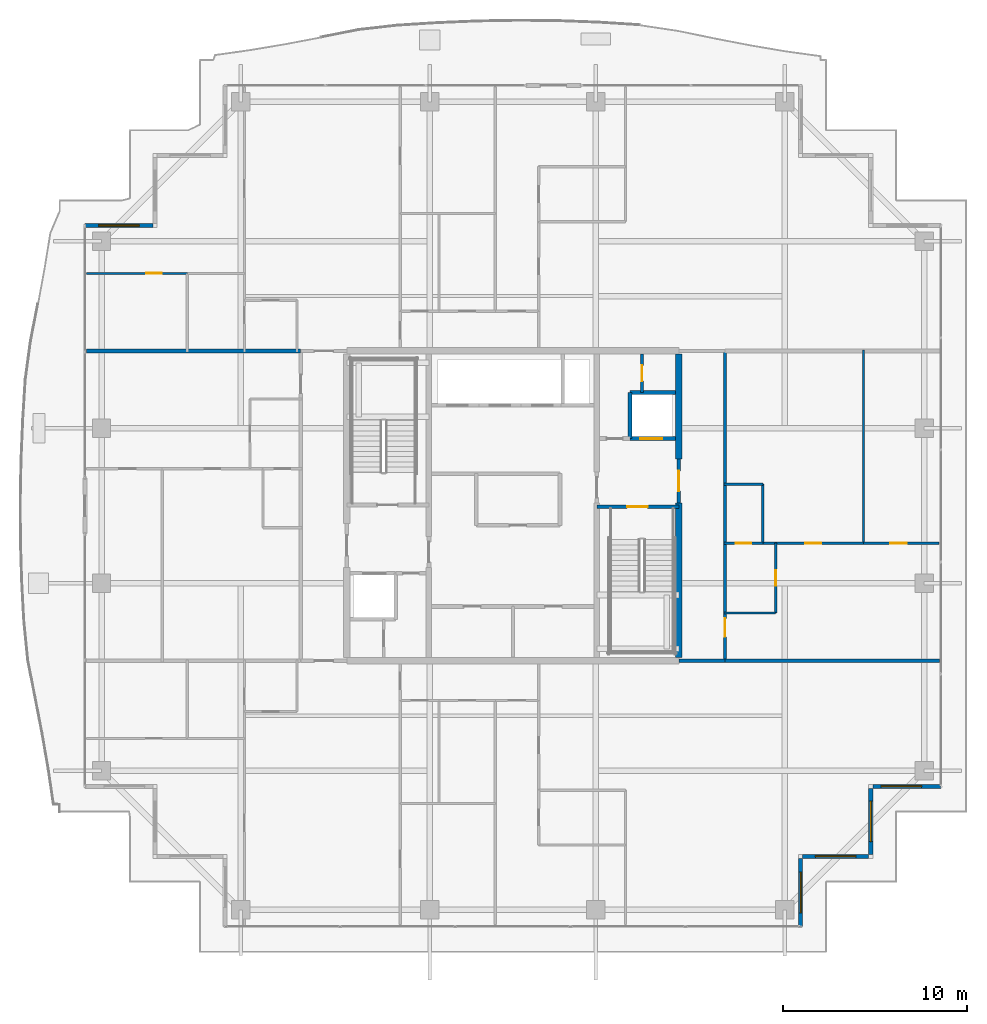
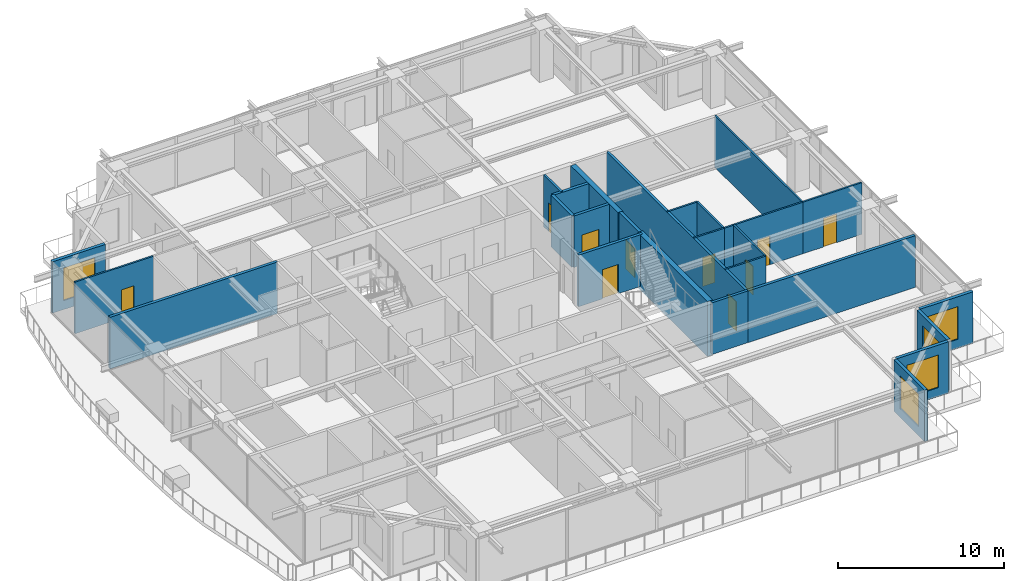
# One storey, part 28 of 37: 26 walls, 10 doors, 5 windows, 15 openings.
"""IFC4 building model written with IfcOpenShell, lengths in metres."""

from ifc_helpers import new_model, si_unit, direction, frame, frame_2d, origin, place, context, subcontext, project, spatial, rectangle, extrude, source, transform, mapped, material, layer, layer_set, type_object, element, fill, save


model = new_model("IFC4")

# Units and contexts
model_context = context("Model", 3, precision=1e-05, world=origin(), true_north=direction((0.0, 1.0)))
body_context = subcontext(model_context, "Body", "Model", "MODEL_VIEW")
ifc_project = project(units=[si_unit("LENGTHUNIT", "METRE"), si_unit("AREAUNIT", "SQUARE_METRE"), si_unit("VOLUMEUNIT", "CUBIC_METRE"), si_unit("PLANEANGLEUNIT", "RADIAN"), si_unit("MASSUNIT", "GRAM", prefix="KILO")], contexts=[model_context])

# Site, building, storey
site_placement = place(None, origin())
site = spatial("IfcSite", under=ifc_project, at=site_placement, CompositionType="ELEMENT")
building_placement = place(site_placement, origin())
building = spatial("IfcBuilding", under=site, at=building_placement, Name="Serunith Strait Residences", CompositionType="ELEMENT")
storey_placement = place(building_placement, frame((0.0, 0.0, 317.75)))
storey = spatial("IfcBuildingStorey", under=building, at=storey_placement, Name="L79", CompositionType="ELEMENT", Elevation=317.75)

# Wall, opening, window
ifc_material_1 = material(Name="Pale-Champagne Aluminium Insulated Panel", Category="aluminium")
ifc_layer_1 = layer(ifc_material_1, 0.219970703125, Name="Pale-Champagne Aluminium Insulated Panel")
ifc_layer_set_1 = layer_set([ifc_layer_1], Name="Pale-Champagne Aluminium Insulated Panel")
wall_type_1 = type_object("IfcWallType", Name="EW-ALUM-220", PredefinedType="ELEMENTEDWALL", material=ifc_layer_set_1)
wall_1_placement = place(storey_placement, frame((48.0, 2.39990234375, 0.0), z_axis=(0.0, 0.0, 1.0), x_axis=(0.0, 1.0, 0.0)))
wall_1 = element("IfcWall", 1, at=wall_1_placement, inside=storey, type_object=wall_type_1, Name="L79 Girih Serrated Corner Wall 02", PredefinedType="ELEMENTEDWALL", context=body_context, shape_type="SweptSolid", body=[
    extrude(rectangle(XDim=3.690185546875, YDim=0.219970703125, at=frame_2d((1.84521484375, 0.0))), origin(), (0.0, 0.0, 1.0), 3.77490234375),
])
opening_1_placement = place(wall_1_placement, frame((0.7451171875, 0.0, 0.64990234375)))
opening_1 = element("IfcOpeningElement", 2, at=opening_1_placement, cuts=wall_1, Name="Opening W-06", PredefinedType="OPENING", context=body_context, shape_type="SweptSolid", body=[
    extrude(rectangle(XDim=2.199951171875, YDim=2.39990234375, at=frame_2d((1.10009765625, 1.199951171875))), frame((0.0, 0.1201171875, 0.0), z_axis=(0.0, -1.0, 0.0), x_axis=(1.0, 0.0, 0.0)), (0.0, 0.0, 1.0), 0.239990234375),
])
ifc_material_2 = material(Name="Crown Penthouse Low-E Operable Window Glass", Category="glass")
window_type = type_object("IfcWindowType", Name="WIN-C6", PartitioningType="TRIPLE_PANEL_VERTICAL", PredefinedType="WINDOW", material=ifc_material_2)
shared_shape_1 = source(origin(), body_context, "Body", "SweptSolid", [
    extrude(rectangle(XDim=2.199951171875, YDim=2.39990234375, at=frame_2d((1.10009765625, 1.199951171875))), frame((0.0, 0.030029296875, 0.0), z_axis=(0.0, -1.0, 0.0), x_axis=(1.0, 0.0, 0.0)), (0.0, 0.0, 1.0), 0.06005859375),
])
window_1_placement = place(opening_1_placement, origin())
window_1 = element("IfcWindow", 3, at=window_1_placement, inside=storey, type_object=window_type, Name="L79 Corner Operable Fritted Window 02", OverallHeight=2.39990234375, OverallWidth=2.199951171875, PartitioningType="SINGLE_PANEL", PredefinedType="WINDOW", context=body_context, shape_type="MappedRepresentation", body=[
    mapped(shared_shape_1, transform((0.0, 0.0, 0.0), scale=1.0)),
])
fill(opening_1, window_1)

wall_2_placement = place(storey_placement, frame((48.110107421875, 6.199951171875, 0.0), z_axis=(0.0, 0.0, 1.0), x_axis=(1.0, 0.0, 0.0)))
wall_2 = element("IfcWall", 4, at=wall_2_placement, inside=storey, type_object=wall_type_1, Name="L79 Girih Serrated Corner Wall 03", PredefinedType="ELEMENTEDWALL", context=body_context, shape_type="SweptSolid", body=[
    extrude(rectangle(XDim=3.579833984375, YDim=0.219970703125, at=frame_2d((1.7900390625, 0.0))), origin(), (0.0, 0.0, 1.0), 3.77490234375),
])
opening_2_placement = place(wall_2_placement, frame((0.68994140625, 0.0, 0.64990234375)))
opening_2 = element("IfcOpeningElement", 5, at=opening_2_placement, cuts=wall_2, Name="Opening W-06", PredefinedType="OPENING", context=body_context, shape_type="SweptSolid", body=[
    extrude(rectangle(XDim=2.199951171875, YDim=2.39990234375, at=frame_2d((1.10009765625, 1.199951171875))), frame((0.0, 0.1201171875, 0.0), z_axis=(0.0, -1.0, 0.0), x_axis=(1.0, 0.0, 0.0)), (0.0, 0.0, 1.0), 0.239990234375),
])
window_2_placement = place(opening_2_placement, origin())
window_2 = element("IfcWindow", 6, at=window_2_placement, inside=storey, type_object=window_type, Name="L79 Corner Operable Fritted Window 03", OverallHeight=2.39990234375, OverallWidth=2.199951171875, PartitioningType="SINGLE_PANEL", PredefinedType="WINDOW", context=body_context, shape_type="MappedRepresentation", body=[
    mapped(shared_shape_1, transform((0.0, 0.0, 0.0), scale=1.0)),
])
fill(opening_2, window_2)

wall_3_placement = place(storey_placement, frame((51.800048828125, 6.31005859375, 0.0), z_axis=(0.0, 0.0, 1.0), x_axis=(0.0, 1.0, 0.0)))
wall_3 = element("IfcWall", 7, at=wall_3_placement, inside=storey, type_object=wall_type_1, Name="L79 Girih Serrated Corner Wall 04", PredefinedType="ELEMENTEDWALL", context=body_context, shape_type="SweptSolid", body=[
    extrude(rectangle(XDim=3.579833984375, YDim=0.219970703125, at=frame_2d((1.7900390625, 0.0))), origin(), (0.0, 0.0, 1.0), 3.77490234375),
])
opening_3_placement = place(wall_3_placement, frame((0.68994140625, 0.0, 0.64990234375)))
opening_3 = element("IfcOpeningElement", 8, at=opening_3_placement, cuts=wall_3, Name="Opening W-06", PredefinedType="OPENING", context=body_context, shape_type="SweptSolid", body=[
    extrude(rectangle(XDim=2.199951171875, YDim=2.39990234375, at=frame_2d((1.10009765625, 1.199951171875))), frame((0.0, 0.1201171875, 0.0), z_axis=(0.0, -1.0, 0.0), x_axis=(1.0, 0.0, 0.0)), (0.0, 0.0, 1.0), 0.239990234375),
])
window_3_placement = place(opening_3_placement, origin())
window_3 = element("IfcWindow", 9, at=window_3_placement, inside=storey, type_object=window_type, Name="L79 Corner Operable Fritted Window 04", OverallHeight=2.39990234375, OverallWidth=2.199951171875, PartitioningType="SINGLE_PANEL", PredefinedType="WINDOW", context=body_context, shape_type="MappedRepresentation", body=[
    mapped(shared_shape_1, transform((0.0, 0.0, 0.0), scale=1.0)),
])
fill(opening_3, window_3)

wall_4_placement = place(storey_placement, frame((51.909912109375, 10.0, 0.0), z_axis=(0.0, 0.0, 1.0), x_axis=(1.0, 0.0, 0.0)))
wall_4 = element("IfcWall", 10, at=wall_4_placement, inside=storey, type_object=wall_type_1, Name="L79 Girih Serrated Corner Wall 05", PredefinedType="ELEMENTEDWALL", context=body_context, shape_type="SweptSolid", body=[
    extrude(rectangle(XDim=3.690185546875, YDim=0.219970703125, at=frame_2d((1.84521484375, 0.0))), origin(), (0.0, 0.0, 1.0), 3.77490234375),
])
opening_4_placement = place(wall_4_placement, frame((0.447021484375, 0.0, 0.64990234375)))
opening_4 = element("IfcOpeningElement", 11, at=opening_4_placement, cuts=wall_4, Name="Opening W-06", PredefinedType="OPENING", context=body_context, shape_type="SweptSolid", body=[
    extrude(rectangle(XDim=2.199951171875, YDim=2.39990234375, at=frame_2d((1.10009765625, 1.199951171875))), frame((0.0, 0.1201171875, 0.0), z_axis=(0.0, -1.0, 0.0), x_axis=(1.0, 0.0, 0.0)), (0.0, 0.0, 1.0), 0.239990234375),
])
window_4_placement = place(opening_4_placement, origin())
window_4 = element("IfcWindow", 12, at=window_4_placement, inside=storey, type_object=window_type, Name="L79 Corner Operable Fritted Window 05", OverallHeight=2.39990234375, OverallWidth=2.199951171875, PartitioningType="SINGLE_PANEL", PredefinedType="WINDOW", context=body_context, shape_type="MappedRepresentation", body=[
    mapped(shared_shape_1, transform((0.0, 0.0, 0.0), scale=1.0)),
])
fill(opening_4, window_4)

wall_5_placement = place(storey_placement, frame((12.889892578125, 40.39990234375, 0.0), z_axis=(0.0, 0.0, 1.0), x_axis=(-1.0, 0.0, 0.0)))
wall_5 = element("IfcWall", 13, at=wall_5_placement, inside=storey, type_object=wall_type_1, Name="L79 Girih Serrated Corner Wall 15", PredefinedType="ELEMENTEDWALL", context=body_context, shape_type="SweptSolid", body=[
    extrude(rectangle(XDim=3.68994140625, YDim=0.219970703125, at=frame_2d((1.844970703125, 0.0))), origin(), (0.0, 0.0, 1.0), 3.77490234375),
])
opening_5_placement = place(wall_5_placement, frame((0.7451171875, 0.0, 0.64990234375)))
opening_5 = element("IfcOpeningElement", 14, at=opening_5_placement, cuts=wall_5, Name="Opening W-06", PredefinedType="OPENING", context=body_context, shape_type="SweptSolid", body=[
    extrude(rectangle(XDim=2.199951171875, YDim=2.39990234375, at=frame_2d((1.10009765625, 1.199951171875))), frame((0.0, 0.1201171875, 0.0), z_axis=(0.0, -1.0, 0.0), x_axis=(1.0, 0.0, 0.0)), (0.0, 0.0, 1.0), 0.239990234375),
])
window_5_placement = place(opening_5_placement, origin())
window_5 = element("IfcWindow", 15, at=window_5_placement, inside=storey, type_object=window_type, Name="L79 Corner Operable Fritted Window 15", OverallHeight=2.39990234375, OverallWidth=2.199951171875, PartitioningType="SINGLE_PANEL", PredefinedType="WINDOW", context=body_context, shape_type="MappedRepresentation", body=[
    mapped(shared_shape_1, transform((0.0, 0.0, 0.0), scale=1.0)),
])
fill(opening_5, window_5)

# Wall, opening, door
ifc_material_3 = material(Name="Fire-rated masonry service closet wall", Category="masonry")
ifc_layer_2 = layer(ifc_material_3, 0.14990234375, Name="Fire-rated masonry service closet wall")
ifc_layer_set_2 = layer_set([ifc_layer_2], Name="Fire-rated masonry service closet wall")
wall_type_2 = type_object("IfcWallType", Name="IW-BOH-150", PredefinedType="PARTITIONING", material=ifc_layer_set_2)
wall_6_placement = place(storey_placement, frame((39.39990234375, 31.35009765625, 0.0), z_axis=(0.0, 0.0, 1.0), x_axis=(0.0, 1.0, 0.0)))
wall_6 = element("IfcWall", 16, at=wall_6_placement, inside=storey, type_object=wall_type_2, Name="L79 Partition Wall 012", PredefinedType="PARTITIONING", context=body_context, shape_type="SweptSolid", body=[
    extrude(rectangle(XDim=2.074951171875, YDim=0.14990234375, at=frame_2d((1.03759765625, 0.0))), origin(), (0.0, 0.0, 1.0), 3.7900390625),
])
opening_6_placement = place(wall_6_placement, frame((0.612060546875, 0.0, 0.0)))
opening_6 = element("IfcOpeningElement", 17, at=opening_6_placement, cuts=wall_6, Name="Opening FD-850", PredefinedType="OPENING", context=body_context, shape_type="SweptSolid", body=[
    extrude(rectangle(XDim=0.85009765625, YDim=2.10009765625, at=frame_2d((0.425048828125, 1.050048828125))), frame((0.0, 0.0849609375, 0.0), z_axis=(0.0, -1.0, 0.0), x_axis=(1.0, 0.0, 0.0)), (0.0, 0.0, 1.0), 0.169921875),
])
ifc_material_4 = material(Name="Powder-coated steel service closet door", Category="steel")
door_type_1 = type_object("IfcDoorType", Name="FD-BOH-850", OperationType="NOTDEFINED", PredefinedType="DOOR", material=ifc_material_4)
shared_shape_2 = source(origin(), body_context, "Body", "SweptSolid", [
    extrude(rectangle(XDim=0.85009765625, YDim=2.10009765625, at=frame_2d((0.425048828125, 1.050048828125))), frame((0.0, 0.02490234375, 0.0), z_axis=(0.0, -1.0, 0.0), x_axis=(1.0, 0.0, 0.0)), (0.0, 0.0, 1.0), 0.050048828125),
])
door_1_placement = place(opening_6_placement, origin())
door_1 = element("IfcDoor", 18, at=door_1_placement, inside=storey, type_object=door_type_1, Name="L79 Janitor Store Door", OperationType="SINGLE_SWING_LEFT", OverallHeight=2.10009765625, OverallWidth=0.85009765625, PredefinedType="DOOR", context=body_context, shape_type="MappedRepresentation", body=[
    mapped(shared_shape_2, transform((0.0, 0.0, 0.0), scale=1.0)),
])
fill(opening_6, door_1)

# Wall
ifc_material_5 = material(Name="Fire-rated acoustic gypsum partition")
ifc_layer_3 = layer(ifc_material_5, 0.179931640625, Name="Fire-rated acoustic gypsum partition")
ifc_layer_set_3 = layer_set([ifc_layer_3], Name="Fire-rated acoustic gypsum partition")
wall_type_3 = type_object("IfcWallType", Name="IW-CORR-180", PredefinedType="PARTITIONING", material=ifc_layer_set_3)
wall_7_placement = place(storey_placement, frame((41.402099609375, 16.800048828125, 0.0), z_axis=(0.0, 0.0, 1.0), x_axis=(1.0, 0.0, 0.0)))
element("IfcWall", 19, at=wall_7_placement, inside=storey, type_object=wall_type_3, Name="L79 Partition Wall 027", PredefinedType="PARTITIONING", context=body_context, shape_type="SweptSolid", body=[
    extrude(rectangle(XDim=2.495849609375, YDim=0.179931640625, at=frame_2d((1.248046875, 0.0))), origin(), (0.0, 0.0, 1.0), 3.7900390625),
])

# Wall, opening, door
wall_8_placement = place(storey_placement, frame((43.89990234375, 16.800048828125, 0.0), z_axis=(0.0, 0.0, 1.0), x_axis=(0.0, 1.0, 0.0)))
wall_8 = element("IfcWall", 20, at=wall_8_placement, inside=storey, type_object=wall_type_3, Name="L79 Partition Wall 029", PredefinedType="PARTITIONING", context=body_context, shape_type="SweptSolid", body=[
    extrude(rectangle(XDim=16.800048828125, YDim=0.179931640625, at=frame_2d((8.39990234375, 0.0))), origin(), (0.0, 0.0, 1.0), 3.7900390625),
])
opening_7_placement = place(wall_8_placement, frame((1.300048828125, 0.0, 0.0)))
opening_7 = element("IfcOpeningElement", 21, at=opening_7_placement, cuts=wall_8, Name="Opening D-APT1000", PredefinedType="OPENING", context=body_context, shape_type="SweptSolid", body=[
    extrude(rectangle(XDim=1.0, YDim=2.14990234375, at=frame_2d((0.5, 1.074951171875))), frame((0.0, 0.10009765625, 0.0), z_axis=(0.0, -1.0, 0.0), x_axis=(1.0, 0.0, 0.0)), (0.0, 0.0, 1.0), 0.199951171875),
])
ifc_material_6 = material(Name="Solid timber engineered fire door", Category="wood")
door_type_2 = type_object("IfcDoorType", Name="ID-APT-1000", OperationType="NOTDEFINED", PredefinedType="DOOR", material=ifc_material_6)
shared_shape_3 = source(origin(), body_context, "Body", "SweptSolid", [
    extrude(rectangle(XDim=1.0, YDim=2.14990234375, at=frame_2d((0.5, 1.074951171875))), frame((0.0, 0.02490234375, 0.0), z_axis=(0.0, -1.0, 0.0), x_axis=(1.0, 0.0, 0.0)), (0.0, 0.0, 1.0), 0.050048828125),
])
door_2_placement = place(opening_7_placement, origin())
door_2 = element("IfcDoor", 22, at=door_2_placement, inside=storey, type_object=door_type_2, Name="L79 Unit 04 Entrance Door", OperationType="SINGLE_SWING_RIGHT", OverallHeight=2.14990234375, OverallWidth=1.0, PredefinedType="DOOR", context=body_context, shape_type="MappedRepresentation", body=[
    mapped(shared_shape_3, transform((0.0, 0.0, 0.0), scale=1.0)),
])
fill(opening_7, door_2)

ifc_material_7 = material(Name="Lightweight steel-stud gypsum partition", Category="steel")
ifc_layer_4 = layer(ifc_material_7, 0.1201171875, Name="Lightweight steel-stud gypsum partition")
ifc_layer_set_4 = layer_set([ifc_layer_4], Name="Lightweight steel-stud gypsum partition")
wall_type_4 = type_object("IfcWallType", Name="IW-PART-120", PredefinedType="PARTITIONING", material=ifc_layer_set_4)
wall_9_placement = place(storey_placement, frame((9.294921875, 37.806884765625, 0.0), z_axis=(0.0, 0.0, 1.0), x_axis=(1.0, 0.0, 0.0)))
wall_9 = element("IfcWall", 23, at=wall_9_placement, inside=storey, type_object=wall_type_4, Name="L79 Partition Wall 055", PredefinedType="PARTITIONING", context=body_context, shape_type="SweptSolid", body=[
    extrude(rectangle(XDim=5.455078125, YDim=0.1201171875, at=frame_2d((2.7275390625, 0.0))), origin(), (0.0, 0.0, 1.0), 3.7900390625),
])
opening_8_placement = place(wall_9_placement, frame((3.22412109375, 0.0, 0.0)))
opening_8 = element("IfcOpeningElement", 24, at=opening_8_placement, cuts=wall_9, Name="Opening D-RM850", PredefinedType="OPENING", context=body_context, shape_type="SweptSolid", body=[
    extrude(rectangle(XDim=0.85009765625, YDim=2.10009765625, at=frame_2d((0.425048828125, 1.050048828125))), frame((0.0, 0.070068359375, 0.0), z_axis=(0.0, -1.0, 0.0), x_axis=(1.0, 0.0, 0.0)), (0.0, 0.0, 1.0), 0.14013671875),
])
ifc_material_8 = material(Name="Engineered timber flush study and kitchen door", Category="wood")
door_type_3 = type_object("IfcDoorType", Name="ID-ROOM-850", OperationType="NOTDEFINED", PredefinedType="DOOR", material=ifc_material_8)
door_3_placement = place(opening_8_placement, origin())
door_3 = element("IfcDoor", 25, at=door_3_placement, inside=storey, type_object=door_type_3, Name="L79 Wardrobe 7902 Door", OperationType="SINGLE_SWING_RIGHT", OverallHeight=2.10009765625, OverallWidth=0.85009765625, PredefinedType="DOOR", context=body_context, shape_type="MappedRepresentation", body=[
    mapped(shared_shape_2, transform((0.0, 0.0, 0.0), scale=1.0)),
])
fill(opening_8, door_3)

wall_10_placement = place(storey_placement, frame((46.64990234375, 19.39990234375, 0.0), z_axis=(0.0, 0.0, 1.0), x_axis=(0.0, 1.0, 0.0)))
wall_10 = element("IfcWall", 26, at=wall_10_placement, inside=storey, type_object=wall_type_4, Name="L79 Partition Wall 082", PredefinedType="PARTITIONING", context=body_context, shape_type="SweptSolid", body=[
    extrude(rectangle(XDim=3.780029296875, YDim=0.1201171875, at=frame_2d((1.89013671875, 0.0))), origin(), (0.0, 0.0, 1.0), 3.7900390625),
])
opening_9_placement = place(wall_10_placement, frame((1.465087890625, 0.0, 0.0)))
opening_9 = element("IfcOpeningElement", 27, at=opening_9_placement, cuts=wall_10, Name="Opening D-RM850", PredefinedType="OPENING", context=body_context, shape_type="SweptSolid", body=[
    extrude(rectangle(XDim=0.85009765625, YDim=2.10009765625, at=frame_2d((0.425048828125, 1.050048828125))), frame((0.0, 0.070068359375, 0.0), z_axis=(0.0, -1.0, 0.0), x_axis=(1.0, 0.0, 0.0)), (0.0, 0.0, 1.0), 0.14013671875),
])
door_4_placement = place(opening_9_placement, origin())
door_4 = element("IfcDoor", 28, at=door_4_placement, inside=storey, type_object=door_type_3, Name="L79 Kitchen 7904 Door", OperationType="SINGLE_SWING_LEFT", OverallHeight=2.10009765625, OverallWidth=0.85009765625, PredefinedType="DOOR", context=body_context, shape_type="MappedRepresentation", body=[
    mapped(shared_shape_2, transform((0.0, 0.0, 0.0), scale=1.0)),
])
fill(opening_9, door_4)

# Wall
wall_11_placement = place(storey_placement, frame((46.64990234375, 19.39990234375, 0.0), z_axis=(0.0, 0.0, 1.0), x_axis=(-1.0, 0.0, 0.0)))
element("IfcWall", 29, at=wall_11_placement, inside=storey, type_object=wall_type_4, Name="L79 Partition Wall 083", PredefinedType="PARTITIONING", context=body_context, shape_type="SweptSolid", body=[
    extrude(rectangle(XDim=2.809814453125, YDim=0.1201171875, at=frame_2d((1.40478515625, 0.0))), origin(), (0.0, 0.0, 1.0), 3.7900390625),
])

# Wall, opening, door
wall_12_placement = place(storey_placement, frame((55.5048828125, 23.179931640625, 0.0), z_axis=(0.0, 0.0, 1.0), x_axis=(-1.0, 0.0, 0.0)))
wall_12 = element("IfcWall", 30, at=wall_12_placement, inside=storey, type_object=wall_type_4, Name="L79 Partition Wall 084", PredefinedType="PARTITIONING", context=body_context, shape_type="SweptSolid", body=[
    extrude(rectangle(XDim=4.093994140625, YDim=0.1201171875, at=frame_2d((2.046875, 0.0))), origin(), (0.0, 0.0, 1.0), 3.7900390625),
])
opening_10_placement = place(wall_12_placement, frame((1.757080078125, 0.0, 0.0)))
opening_10 = element("IfcOpeningElement", 31, at=opening_10_placement, cuts=wall_12, Name="Opening D-RM900", PredefinedType="OPENING", context=body_context, shape_type="SweptSolid", body=[
    extrude(rectangle(XDim=0.89990234375, YDim=2.10009765625, at=frame_2d((0.449951171875, 1.050048828125))), frame((0.0, 0.070068359375, 0.0), z_axis=(0.0, -1.0, 0.0), x_axis=(1.0, 0.0, 0.0)), (0.0, 0.0, 1.0), 0.14013671875),
])
ifc_material_9 = material(Name="Engineered timber flush bedroom door", Category="wood")
door_type_4 = type_object("IfcDoorType", Name="ID-ROOM-900", OperationType="NOTDEFINED", PredefinedType="DOOR", material=ifc_material_9)
shared_shape_4 = source(origin(), body_context, "Body", "SweptSolid", [
    extrude(rectangle(XDim=0.89990234375, YDim=2.10009765625, at=frame_2d((0.449951171875, 1.050048828125))), frame((0.0, 0.02490234375, 0.0), z_axis=(0.0, -1.0, 0.0), x_axis=(1.0, 0.0, 0.0)), (0.0, 0.0, 1.0), 0.050048828125),
])
door_5_placement = place(opening_10_placement, origin())
door_5 = element("IfcDoor", 32, at=door_5_placement, inside=storey, type_object=door_type_4, Name="L79 Master Bedroom 1 7904 Door", OperationType="SINGLE_SWING_RIGHT", OverallHeight=2.10009765625, OverallWidth=0.89990234375, PredefinedType="DOOR", context=body_context, shape_type="MappedRepresentation", body=[
    mapped(shared_shape_4, transform((0.0, 0.0, 0.0), scale=1.0)),
])
fill(opening_10, door_5)

# Walls
wall_13_placement = place(storey_placement, frame((51.410888671875, 23.179931640625, 0.0), z_axis=(0.0, 0.0, 1.0), x_axis=(0.0, 1.0, 0.0)))
element("IfcWall", 33, at=wall_13_placement, inside=storey, type_object=wall_type_4, Name="L79 Partition Wall 085", PredefinedType="PARTITIONING", context=body_context, shape_type="SweptSolid", body=[
    extrude(rectangle(XDim=10.47998046875, YDim=0.1201171875, at=frame_2d((5.239990234375, 0.0))), origin(), (0.0, 0.0, 1.0), 3.7900390625),
])
wall_14_placement = place(storey_placement, frame((45.949951171875, 23.179931640625, 0.0), z_axis=(0.0, 0.0, 1.0), x_axis=(0.0, 1.0, 0.0)))
element("IfcWall", 34, at=wall_14_placement, inside=storey, type_object=wall_type_4, Name="L79 Partition Wall 086", PredefinedType="PARTITIONING", context=body_context, shape_type="SweptSolid", body=[
    extrude(rectangle(XDim=3.199951171875, YDim=0.1201171875, at=frame_2d((1.60009765625, 0.0))), origin(), (0.0, 0.0, 1.0), 3.7900390625),
])
wall_15_placement = place(storey_placement, frame((45.949951171875, 26.3798828125, 0.0), z_axis=(0.0, 0.0, 1.0), x_axis=(-1.0, 0.0, 0.0)))
element("IfcWall", 35, at=wall_15_placement, inside=storey, type_object=wall_type_4, Name="L79 Partition Wall 087", PredefinedType="PARTITIONING", context=body_context, shape_type="SweptSolid", body=[
    extrude(rectangle(XDim=2.10986328125, YDim=0.1201171875, at=frame_2d((1.054931640625, 0.0))), origin(), (0.0, 0.0, 1.0), 3.7900390625),
])

# Wall, opening, door
wall_16_placement = place(storey_placement, frame((51.408935546875, 23.179931640625, 0.0), z_axis=(0.0, 0.0, 1.0), x_axis=(-1.0, 0.0, 0.0)))
wall_16 = element("IfcWall", 36, at=wall_16_placement, inside=storey, type_object=wall_type_4, Name="L79 Partition Wall 088", PredefinedType="PARTITIONING", context=body_context, shape_type="SweptSolid", body=[
    extrude(rectangle(XDim=5.458984375, YDim=0.1201171875, at=frame_2d((2.7294921875, 0.0))), origin(), (0.0, 0.0, 1.0), 3.7900390625),
])
opening_11_placement = place(wall_16_placement, frame((2.303955078125, 0.0, 0.0)))
opening_11 = element("IfcOpeningElement", 37, at=opening_11_placement, cuts=wall_16, Name="Opening D-RM850", PredefinedType="OPENING", context=body_context, shape_type="SweptSolid", body=[
    extrude(rectangle(XDim=0.85009765625, YDim=2.10009765625, at=frame_2d((0.425048828125, 1.050048828125))), frame((0.0, 0.070068359375, 0.0), z_axis=(0.0, -1.0, 0.0), x_axis=(1.0, 0.0, 0.0)), (0.0, 0.0, 1.0), 0.14013671875),
])
door_6_placement = place(opening_11_placement, origin())
door_6 = element("IfcDoor", 38, at=door_6_placement, inside=storey, type_object=door_type_3, Name="L79 Walk-in Wardrobe 7904 Door", OperationType="SINGLE_SWING_LEFT", OverallHeight=2.10009765625, OverallWidth=0.85009765625, PredefinedType="DOOR", context=body_context, shape_type="MappedRepresentation", body=[
    mapped(shared_shape_2, transform((0.0, 0.0, 0.0), scale=1.0)),
])
fill(opening_11, door_6)

wall_17_placement = place(storey_placement, frame((45.947998046875, 23.179931640625, 0.0), z_axis=(0.0, 0.0, 1.0), x_axis=(-1.0, 0.0, 0.0)))
wall_17 = element("IfcWall", 39, at=wall_17_placement, inside=storey, type_object=wall_type_4, Name="L79 Partition Wall 089", PredefinedType="PARTITIONING", context=body_context, shape_type="SweptSolid", body=[
    extrude(rectangle(XDim=2.10791015625, YDim=0.1201171875, at=frame_2d((1.053955078125, 0.0))), origin(), (0.0, 0.0, 1.0), 3.7900390625),
])
opening_12_placement = place(wall_17_placement, frame((0.62890625, 0.0, 0.0)))
opening_12 = element("IfcOpeningElement", 40, at=opening_12_placement, cuts=wall_17, Name="Opening D-BTH850", PredefinedType="OPENING", context=body_context, shape_type="SweptSolid", body=[
    extrude(rectangle(XDim=0.85009765625, YDim=2.10009765625, at=frame_2d((0.425048828125, 1.050048828125))), frame((0.0, 0.070068359375, 0.0), z_axis=(0.0, -1.0, 0.0), x_axis=(1.0, 0.0, 0.0)), (0.0, 0.0, 1.0), 0.14013671875),
])
ifc_material_10 = material(Name="Moisture-resistant timber bathroom door", Category="wood")
door_type_5 = type_object("IfcDoorType", Name="ID-BATH-850", OperationType="NOTDEFINED", PredefinedType="DOOR", material=ifc_material_10)
door_7_placement = place(opening_12_placement, origin())
door_7 = element("IfcDoor", 41, at=door_7_placement, inside=storey, type_object=door_type_5, Name="L79 Bathroom 7904 Door", OperationType="SINGLE_SWING_RIGHT", OverallHeight=2.10009765625, OverallWidth=0.85009765625, PredefinedType="DOOR", context=body_context, shape_type="MappedRepresentation", body=[
    mapped(shared_shape_2, transform((0.0, 0.0, 0.0), scale=1.0)),
])
fill(opening_12, door_7)

# Walls
ifc_material_11 = material(Name="Twin-stud acoustic gypsum board partition")
ifc_layer_5 = layer(ifc_material_11, 0.199951171875, Name="Twin-stud acoustic gypsum board partition")
ifc_layer_set_5 = layer_set([ifc_layer_5], Name="Twin-stud acoustic gypsum board partition")
wall_type_5 = type_object("IfcWallType", Name="IW-PARTY-200", PredefinedType="PARTITIONING", material=ifc_layer_set_5)
wall_18_placement = place(storey_placement, frame((43.89990234375, 16.800048828125, 0.0), z_axis=(0.0, 0.0, 1.0), x_axis=(1.0, 0.0, 0.0)))
element("IfcWall", 42, at=wall_18_placement, inside=storey, type_object=wall_type_5, Name="L79 Partition Wall 021", PredefinedType="PARTITIONING", context=body_context, shape_type="SweptSolid", body=[
    extrude(rectangle(XDim=11.6181640625, YDim=0.199951171875, at=frame_2d((5.80908203125, 0.0))), origin(), (0.0, 0.0, 1.0), 3.7900390625),
])
wall_19_placement = place(storey_placement, frame((9.281982421875, 33.60009765625, 0.0), z_axis=(0.0, 0.0, 1.0), x_axis=(1.0, 0.0, 0.0)))
element("IfcWall", 43, at=wall_19_placement, inside=storey, type_object=wall_type_5, Name="L79 Partition Wall 022", PredefinedType="PARTITIONING", context=body_context, shape_type="SweptSolid", body=[
    extrude(rectangle(XDim=11.617919921875, YDim=0.199951171875, at=frame_2d((5.80908203125, 0.0))), origin(), (0.0, 0.0, 1.0), 3.7900390625),
])

# Wall, opening, door
ifc_material_12 = material(Name="Autoclaved aerated concrete blockwork", Category="masonry")
ifc_layer_6 = layer(ifc_material_12, 0.199951171875, Name="Autoclaved aerated concrete blockwork")
ifc_layer_set_6 = layer_set([ifc_layer_6], Name="Autoclaved aerated concrete blockwork")
wall_type_6 = type_object("IfcWallType", Name="IW-SHAFT-200", PredefinedType="STANDARD", material=ifc_layer_set_6)
wall_20_placement = place(storey_placement, frame((36.949951171875, 25.14990234375, 0.0), z_axis=(0.0, 0.0, 1.0), x_axis=(1.0, 0.0, 0.0)))
wall_20 = element("IfcWall", 44, at=wall_20_placement, inside=storey, type_object=wall_type_6, Name="L79 ST-2 North Shaft Wall", PredefinedType="STANDARD", context=body_context, shape_type="SweptSolid", body=[
    extrude(rectangle(XDim=4.449951171875, YDim=0.199951171875, at=frame_2d((2.22509765625, 0.0))), origin(), (0.0, 0.0, 1.0), 3.7900390625),
])
opening_13_placement = place(wall_20_placement, frame((1.64990234375, 0.0, 0.0)))
opening_13 = element("IfcOpeningElement", 45, at=opening_13_placement, cuts=wall_20, Name="Opening FD-1100", PredefinedType="OPENING", context=body_context, shape_type="SweptSolid", body=[
    extrude(rectangle(XDim=1.10009765625, YDim=2.14990234375, at=frame_2d((0.550048828125, 1.074951171875))), frame((0.0, 0.10986328125, 0.0), z_axis=(0.0, -1.0, 0.0), x_axis=(1.0, 0.0, 0.0)), (0.0, 0.0, 1.0), 0.219970703125),
])
ifc_material_13 = material(Name="Galvanised steel fire door leaf", Category="steel")
door_type_6 = type_object("IfcDoorType", Name="FD-STAIR-1100", OperationType="NOTDEFINED", PredefinedType="DOOR", material=ifc_material_13)
shared_shape_5 = source(origin(), body_context, "Body", "SweptSolid", [
    extrude(rectangle(XDim=1.10009765625, YDim=2.14990234375, at=frame_2d((0.550048828125, 1.074951171875))), frame((0.0, 0.02490234375, 0.0), z_axis=(0.0, -1.0, 0.0), x_axis=(1.0, 0.0, 0.0)), (0.0, 0.0, 1.0), 0.050048828125),
])
door_8_placement = place(opening_13_placement, origin())
door_8 = element("IfcDoor", 46, at=door_8_placement, inside=storey, type_object=door_type_6, Name="L79 ST-2 Escape Stair Door", OperationType="SINGLE_SWING_RIGHT", OverallHeight=2.14990234375, OverallWidth=1.10009765625, PredefinedType="DOOR", context=body_context, shape_type="MappedRepresentation", body=[
    mapped(shared_shape_5, transform((0.0, 0.0, 0.0), scale=1.0)),
])
fill(opening_13, door_8)

wall_21_placement = place(storey_placement, frame((38.75, 28.85009765625, 0.0), z_axis=(0.0, 0.0, 1.0), x_axis=(1.0, 0.0, 0.0)))
wall_21 = element("IfcWall", 47, at=wall_21_placement, inside=storey, type_object=wall_type_6, Name="L79 FL-2 South Shaft Wall", PredefinedType="STANDARD", context=body_context, shape_type="SweptSolid", body=[
    extrude(rectangle(XDim=2.47509765625, YDim=0.199951171875, at=frame_2d((1.237548828125, 0.0))), origin(), (0.0, 0.0, 1.0), 3.7900390625),
])
opening_14_placement = place(wall_21_placement, frame((0.550048828125, 0.0, 0.0)))
opening_14 = element("IfcOpeningElement", 48, at=opening_14_placement, cuts=wall_21, Name="Opening LD-FF1200", PredefinedType="OPENING", context=body_context, shape_type="SweptSolid", body=[
    extrude(rectangle(XDim=1.199951171875, YDim=2.199951171875, at=frame_2d((0.60009765625, 1.10009765625))), frame((0.0, 0.10986328125, 0.0), z_axis=(0.0, -1.0, 0.0), x_axis=(1.0, 0.0, 0.0)), (0.0, 0.0, 1.0), 0.219970703125),
])
ifc_material_14 = material(Name="Brushed stainless steel landing door", Category="steel")
door_type_7 = type_object("IfcDoorType", Name="LD-FF-1200", OperationType="DOUBLE_DOOR_SLIDING", PredefinedType="DOOR", material=ifc_material_14)
shared_shape_6 = source(origin(), body_context, "Body", "SweptSolid", [
    extrude(rectangle(XDim=1.199951171875, YDim=2.199951171875, at=frame_2d((0.60009765625, 1.10009765625))), frame((0.0, 0.02490234375, 0.0), z_axis=(0.0, -1.0, 0.0), x_axis=(1.0, 0.0, 0.0)), (0.0, 0.0, 1.0), 0.050048828125),
])
door_9_placement = place(opening_14_placement, origin())
door_9 = element("IfcDoor", 49, at=door_9_placement, inside=storey, type_object=door_type_7, Name="L79 FL-2 Landing Door", OperationType="DOUBLE_DOOR_SLIDING", OverallHeight=2.199951171875, OverallWidth=1.199951171875, PredefinedType="DOOR", context=body_context, shape_type="MappedRepresentation", body=[
    mapped(shared_shape_6, transform((0.0, 0.0, 0.0), scale=1.0)),
])
fill(opening_14, door_9)

# Walls
wall_22_placement = place(storey_placement, frame((38.75, 28.85009765625, 0.0), z_axis=(0.0, 0.0, 1.0), x_axis=(0.0, 1.0, 0.0)))
element("IfcWall", 50, at=wall_22_placement, inside=storey, type_object=wall_type_6, Name="L79 Partition Wall 004", PredefinedType="STANDARD", context=body_context, shape_type="SweptSolid", body=[
    extrude(rectangle(XDim=2.5, YDim=0.199951171875, at=frame_2d((1.25, 0.0))), origin(), (0.0, 0.0, 1.0), 3.7900390625),
])
wall_23_placement = place(storey_placement, frame((38.75, 31.35009765625, 0.0), z_axis=(0.0, 0.0, 1.0), x_axis=(1.0, 0.0, 0.0)))
element("IfcWall", 51, at=wall_23_placement, inside=storey, type_object=wall_type_6, Name="L79 Partition Wall 005", PredefinedType="STANDARD", context=body_context, shape_type="SweptSolid", body=[
    extrude(rectangle(XDim=2.47509765625, YDim=0.199951171875, at=frame_2d((1.237548828125, 0.0))), origin(), (0.0, 0.0, 1.0), 3.7900390625),
])

# Wall, opening, door
wall_24_placement = place(storey_placement, frame((41.39990234375, 25.35205078125, 0.0), z_axis=(0.0, 0.0, 1.0), x_axis=(0.0, 1.0, 0.0)))
wall_24 = element("IfcWall", 52, at=wall_24_placement, inside=storey, type_object=wall_type_6, Name="L79 Partition Wall 008", PredefinedType="STANDARD", context=body_context, shape_type="SweptSolid", body=[
    extrude(rectangle(XDim=2.39599609375, YDim=0.199951171875, at=frame_2d((1.197998046875, 0.0))), origin(), (0.0, 0.0, 1.0), 3.7900390625),
])
opening_15_placement = place(wall_24_placement, frame((0.64794921875, 0.0, 0.0)))
opening_15 = element("IfcOpeningElement", 53, at=opening_15_placement, cuts=wall_24, Name="Opening FD-FFL", PredefinedType="OPENING", context=body_context, shape_type="SweptSolid", body=[
    extrude(rectangle(XDim=1.10009765625, YDim=2.14990234375, at=frame_2d((0.550048828125, 1.074951171875))), frame((0.0, 0.10986328125, 0.0), z_axis=(0.0, -1.0, 0.0), x_axis=(1.0, 0.0, 0.0)), (0.0, 0.0, 1.0), 0.219970703125),
])
ifc_material_15 = material(Name="Glazed steel smoke-lobby fire door", Category="steel")
door_type_8 = type_object("IfcDoorType", Name="FD-FFL-1100", OperationType="NOTDEFINED", PredefinedType="DOOR", material=ifc_material_15)
door_10_placement = place(opening_15_placement, origin())
door_10 = element("IfcDoor", 54, at=door_10_placement, inside=storey, type_object=door_type_8, Name="L79 FFL-2 Corridor Fire Door", OperationType="SINGLE_SWING_LEFT", OverallHeight=2.14990234375, OverallWidth=1.10009765625, PredefinedType="DOOR", context=body_context, shape_type="MappedRepresentation", body=[
    mapped(shared_shape_5, transform((0.0, 0.0, 0.0), scale=1.0)),
])
fill(opening_15, door_10)

# Walls
ifc_material_16 = material(Name="Concrete C60/75", Category="concrete")
ifc_layer_7 = layer(ifc_material_16, 0.35009765625, Name="Concrete C60/75")
ifc_layer_set_7 = layer_set([ifc_layer_7], Name="Concrete C60/75")
wall_type_7 = type_object("IfcWallType", Name="SW-350-C60", PredefinedType="SHEAR", material=ifc_layer_set_7)
wall_25_placement = place(storey_placement, frame((41.39990234375, 16.97509765625, -0.260009765625), z_axis=(0.0, 0.0, 1.0), x_axis=(0.0, 1.0, 0.0)))
element("IfcWall", 55, at=wall_25_placement, inside=storey, type_object=wall_type_7, Name="L79 Core East Shear Wall South Pier", PredefinedType="SHEAR", context=body_context, shape_type="SweptSolid", body=[
    extrude(rectangle(XDim=8.375, YDim=0.35009765625, at=frame_2d((4.1875, 0.0))), origin(), (0.0, 0.0, 1.0), 4.048095703125),
])
wall_26_placement = place(storey_placement, frame((41.39990234375, 27.75, -0.260009765625), z_axis=(0.0, 0.0, 1.0), x_axis=(0.0, 1.0, 0.0)))
element("IfcWall", 56, at=wall_26_placement, inside=storey, type_object=wall_type_7, Name="L79 Core East Shear Wall North Pier", PredefinedType="SHEAR", context=body_context, shape_type="SweptSolid", body=[
    extrude(rectangle(XDim=5.675048828125, YDim=0.35009765625, at=frame_2d((2.83740234375, 0.0))), origin(), (0.0, 0.0, 1.0), 4.048095703125),
])

save(model, "model.ifc")
